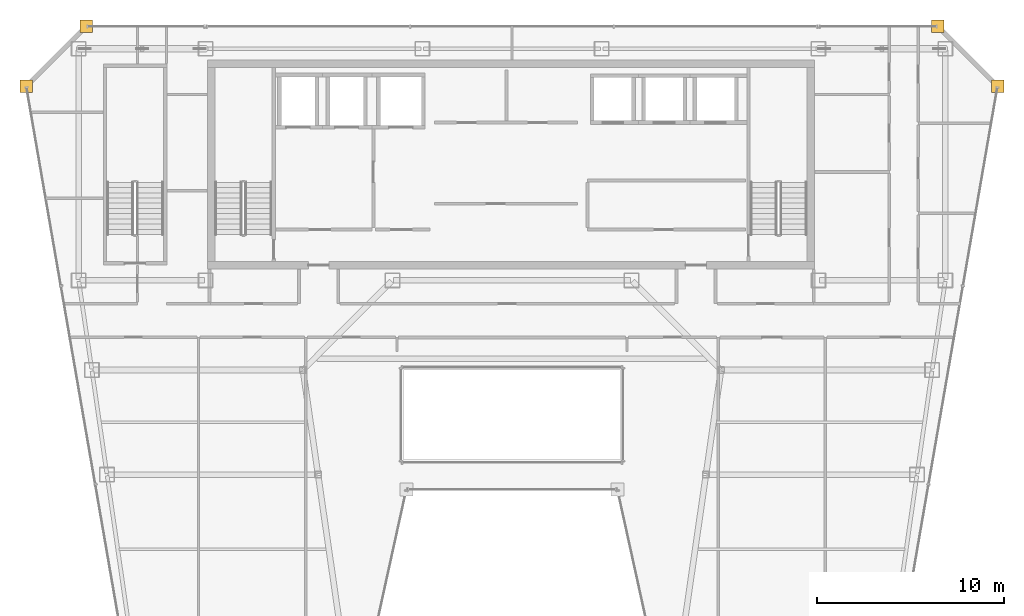
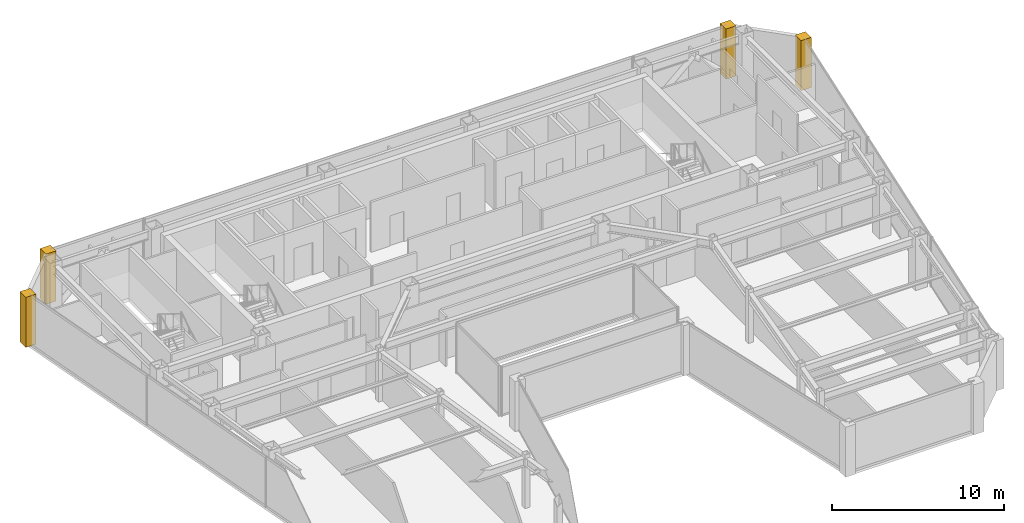
# One storey, part 32 of 32: 4 coverings.
"""IFC4 building model written with IfcOpenShell, lengths in metres."""

import ifcopenshell
import ifcopenshell.guid

model = None  # the IFC model being written
_history = None  # IfcOwnerHistory: only IFC2X3 demands one
_inside = {}  # id of a spatial element -> (the spatial element, [elements in it])
_under = {}  # id of a project, library or spatial element -> (it, [spatial elements below it])
_declared = {}  # id of a project -> (the project, [libraries it declares])
_typed = {}  # id of a type object -> (the type object, [elements of that type])
_made_of = {}  # id of a material, layer set ... -> (it, [elements and type objects made of it])


def new_model(schema):
    """Start an empty IFC model of exactly this schema.

    Asked for "IFC4X3", IfcOpenShell would pick the latest addendum, in which some entities
    have other attributes; the version numbers below select the first issue.
    IFC2X3 requires an IfcOwnerHistory on every rooted entity: one is made here for all.
    """
    global model, _history
    if schema == "IFC4X3":
        model = ifcopenshell.file(schema_version=(4, 3, 0, 0))
    else:
        model = ifcopenshell.file(schema=schema)
    _inside.clear()
    _under.clear()
    _declared.clear()
    _typed.clear()
    _made_of.clear()
    _history = None
    if model.schema == "IFC2X3":
        org = make("IfcOrganization", Name="unknown")
        user = make(
            "IfcPersonAndOrganization",
            ThePerson=make("IfcPerson", FamilyName="unknown"),
            TheOrganization=org,
        )
        app = make(
            "IfcApplication",
            ApplicationDeveloper=org,
            Version="unknown",
            ApplicationFullName="unknown",
            ApplicationIdentifier="unknown",
        )
        _history = make(
            "IfcOwnerHistory",
            OwningUser=user,
            OwningApplication=app,
            ChangeAction="ADDED",
            CreationDate=0,
        )
    return model


def make(cls, **values):
    """One entity of the class cls with the attributes given. An attribute that is None is left unset."""
    return model.create_entity(
        cls, **{name: value for name, value in values.items() if value is not None}
    )


def rooted(cls, **values):
    """An entity with a GlobalId (a new one), such as an element, a storey or a relation."""
    return make(cls, GlobalId=ifcopenshell.guid.new(), OwnerHistory=_history, **values)


def si_unit(unit_type, name, prefix=None):
    """IfcSIUnit, for example si_unit("LENGTHUNIT", "METRE", prefix="MILLI")."""
    return make("IfcSIUnit", UnitType=unit_type, Prefix=prefix, Name=name)


def assignment(units):
    """IfcUnitAssignment: the units of a project."""
    return None if units is None else make("IfcUnitAssignment", Units=units)


def point(xyz):
    """IfcCartesianPoint."""
    return None if xyz is None else make("IfcCartesianPoint", Coordinates=xyz)


def direction(xyz):
    """IfcDirection."""
    return None if xyz is None else make("IfcDirection", DirectionRatios=xyz)


def frame(location, z_axis=None, x_axis=None):
    """IfcAxis2Placement3D, a coordinate frame: its origin and axes. An axis left out is left unset."""
    return make(
        "IfcAxis2Placement3D",
        Location=point(location),
        Axis=direction(z_axis),
        RefDirection=direction(x_axis),
    )


def origin():
    """The frame at (0, 0, 0) with its axes left unset."""
    return frame((0.0, 0.0, 0.0))


def place(relative_to, where):
    """IfcLocalPlacement: puts the frame where relative to a parent placement (None: the world)."""
    return make(
        "IfcLocalPlacement", PlacementRelTo=relative_to, RelativePlacement=where
    )


def context(
    kind, dimensions, precision=None, world=None, true_north=None, identifier=None
):
    """IfcGeometricRepresentationContext, for example the 3D "Model" context."""
    return make(
        "IfcGeometricRepresentationContext",
        ContextIdentifier=identifier,
        ContextType=kind,
        CoordinateSpaceDimension=dimensions,
        Precision=precision,
        WorldCoordinateSystem=world,
        TrueNorth=true_north,
    )


def subcontext(parent, identifier, kind, view, scale=None):
    """IfcGeometricRepresentationSubContext, for example "Body" below "Model"."""
    return make(
        "IfcGeometricRepresentationSubContext",
        ContextIdentifier=identifier,
        ContextType=kind,
        ParentContext=parent,
        TargetScale=scale,
        TargetView=view,
    )


def project(units=None, contexts=None):
    """IfcProject with its units and contexts."""
    return rooted(
        "IfcProject",
        Name="project",
        RepresentationContexts=contexts,
        UnitsInContext=assignment(units),
    )


def spatial(cls, under=None, at=None, **own):
    """A site, building, storey or space (cls), placed at a placement, below another one or the project."""
    s = rooted(cls, ObjectPlacement=at, **own)
    if under is not None:
        _under.setdefault(under.id(), (under, []))[1].append(s)
    return s


def polyline(points):
    """IfcPolyline through the points."""
    return make("IfcPolyline", Points=[point(p) for p in points])


def outline(outer, holes=None, kind="AREA"):
    """IfcArbitraryClosedProfileDef: a profile drawn as a closed curve; with holes, ...WithVoids."""
    if holes is None:
        return make("IfcArbitraryClosedProfileDef", ProfileType=kind, OuterCurve=outer)
    return make(
        "IfcArbitraryProfileDefWithVoids",
        ProfileType=kind,
        OuterCurve=outer,
        InnerCurves=holes,
    )


def extrude(swept, where, along, depth):
    """IfcExtrudedAreaSolid: the profile swept, set in the frame where, extruded along a direction by depth."""
    return make(
        "IfcExtrudedAreaSolid",
        SweptArea=swept,
        Position=where,
        ExtrudedDirection=direction(along),
        Depth=depth,
    )


def shape(context_of_items, identifier, shape_type, items):
    """IfcShapeRepresentation: the items that make up one representation, for example the "Body"."""
    return make(
        "IfcShapeRepresentation",
        ContextOfItems=context_of_items,
        RepresentationIdentifier=identifier,
        RepresentationType=shape_type,
        Items=items,
    )


def material(Name=None, Category=None):
    """IfcMaterial."""
    return make("IfcMaterial", Name=Name, Category=Category)


def layer(
    of_material, thickness, ventilated=None, Name=None, Category=None, Priority=None
):
    """IfcMaterialLayer: one layer of a wall or slab, of a material (None: an air gap)."""
    return make(
        "IfcMaterialLayer",
        Material=of_material,
        LayerThickness=thickness,
        IsVentilated=ventilated,
        Name=Name,
        Category=Category,
        Priority=Priority,
    )


def layer_set(layers, Name=None):
    """IfcMaterialLayerSet."""
    return make("IfcMaterialLayerSet", MaterialLayers=layers, LayerSetName=Name)


def made_of(thing, what):
    """Note that an element or type object is made of a material, layer set ...; save() writes the relation."""
    if what is not None:
        _made_of.setdefault(what.id(), (what, []))[1].append(thing)
    return thing


def type_object(cls, material=None, **own):
    """A type object (cls), such as IfcWallType, which elements share."""
    return made_of(rooted(cls, **own), material)


def element(
    cls,
    number,
    at=None,
    inside=None,
    cuts=None,
    type_object=None,
    material=None,
    context=None,
    identifier="Body",
    shape_type=None,
    held_by="IfcProductDefinitionShape",
    body=None,
    shapes=None,
    **own,
):
    """One element of the class cls, such as IfcWall. Its Tag is "e" and its number.

    at: its placement. inside: the storey or other place that contains it. cuts: it is an
    opening in that element (IfcRelVoidsElement). A single representation is given by context,
    identifier, shape_type and body (its items); several are given by shapes. held_by: the class
    of the entity that holds the representations. save() writes the other relations.
    """
    e = rooted(cls, Tag="e%d" % number, ObjectPlacement=at, **own)
    if body is not None:
        shapes = [shape(context, identifier, shape_type, body)]
    if shapes is not None:
        e.Representation = make(held_by, Representations=shapes)
    if inside is not None:
        _inside.setdefault(inside.id(), (inside, []))[1].append(e)
    if cuts is not None:
        rooted(
            "IfcRelVoidsElement", RelatingBuildingElement=cuts, RelatedOpeningElement=e
        )
    if type_object is not None:
        _typed.setdefault(type_object.id(), (type_object, []))[1].append(e)
    return made_of(e, material)


def aggregate(whole, parts):
    """IfcRelAggregates: a whole, such as a stair, and the parts it consists of."""
    return rooted("IfcRelAggregates", RelatingObject=whole, RelatedObjects=parts)


def save(model, path):
    """Write the relations noted so far, then the file.

    IfcRelAggregates (storeys below a building ...), IfcRelContainedInSpatialStructure (elements
    in a storey), IfcRelDefinesByType, IfcRelAssociatesMaterial and IfcRelDeclares: one each for
    every whole, place, type object, material and project.
    """
    for whole, parts in _under.values():
        aggregate(whole, parts)
    for where, things in _inside.values():
        rooted(
            "IfcRelContainedInSpatialStructure",
            RelatedElements=things,
            RelatingStructure=where,
        )
    for kind, things in _typed.values():
        rooted("IfcRelDefinesByType", RelatedObjects=things, RelatingType=kind)
    for what, things in _made_of.values():
        rooted("IfcRelAssociatesMaterial", RelatedObjects=things, RelatingMaterial=what)
    for by, libraries in _declared.values():
        rooted("IfcRelDeclares", RelatingContext=by, RelatedDefinitions=libraries)
    model.write(path)


model = new_model("IFC4")

# Units and contexts
model_context = context("Model", 3, precision=1e-05, world=origin(), true_north=direction((0.0, 1.0)))
body_context = subcontext(model_context, "Body", "Model", "MODEL_VIEW")
ifc_project = project(units=[si_unit("LENGTHUNIT", "METRE"), si_unit("AREAUNIT", "SQUARE_METRE"), si_unit("VOLUMEUNIT", "CUBIC_METRE"), si_unit("PLANEANGLEUNIT", "RADIAN"), si_unit("MASSUNIT", "GRAM", prefix="KILO")], contexts=[model_context])

# Site, building, storey
site_placement = place(None, origin())
site = spatial("IfcSite", under=ifc_project, at=site_placement, CompositionType="ELEMENT")
building_placement = place(site_placement, origin())
building = spatial("IfcBuilding", under=site, at=building_placement, Name="Saevonmaru Cultural Tower", CompositionType="ELEMENT")
storey_placement = place(building_placement, frame((0.0, 0.0, 245.800048828125)))
storey = spatial("IfcBuildingStorey", under=building, at=storey_placement, Name="L57", CompositionType="ELEMENT", Elevation=245.800048828125)

# Coverings
ifc_material = material(Name="Satin Bronze Anodised Aluminium", Category="aluminium")
ifc_layer = layer(ifc_material, 0.679931640625, Name="Satin Bronze Anodised Aluminium")
ifc_layer_set = layer_set([ifc_layer], Name="Satin Bronze Anodised Aluminium")
covering_type = type_object("IfcCoveringType", Name="CV-CORNER-CLAD", PredefinedType="CLADDING", material=ifc_layer_set)
covering_1_placement = place(storey_placement, origin())
element("IfcCovering", 1, at=covering_1_placement, inside=storey, type_object=covering_type, Name="L57 Tower Bronze Corner Cladding Pier 9", PredefinedType="CLADDING", context=body_context, shape_type="SweptSolid", body=[
    extrude(outline(polyline([(55.659912109375, 52.4599609375), (56.340087890625, 52.4599609375), (56.340087890625, 53.139892578125), (55.659912109375, 53.139892578125), (55.659912109375, 52.4599609375)])), origin(), (0.0, 0.0, 1.0), 3.550048828125),
])
covering_2_placement = place(storey_placement, origin())
element("IfcCovering", 2, at=covering_2_placement, inside=storey, type_object=covering_type, Name="L57 Tower Bronze Corner Cladding Pier 10", PredefinedType="CLADDING", context=body_context, shape_type="SweptSolid", body=[
    extrude(outline(polyline([(52.4599609375, 55.659912109375), (53.139892578125, 55.659912109375), (53.139892578125, 56.340087890625), (52.4599609375, 56.340087890625), (52.4599609375, 55.659912109375)])), origin(), (0.0, 0.0, 1.0), 3.550048828125),
])
covering_3_placement = place(storey_placement, origin())
element("IfcCovering", 3, at=covering_3_placement, inside=storey, type_object=covering_type, Name="L57 Tower Bronze Corner Cladding Pier 11", PredefinedType="CLADDING", context=body_context, shape_type="SweptSolid", body=[
    extrude(outline(polyline([(6.860107421875, 55.659912109375), (7.5400390625, 55.659912109375), (7.5400390625, 56.340087890625), (6.860107421875, 56.340087890625), (6.860107421875, 55.659912109375)])), origin(), (0.0, 0.0, 1.0), 3.550048828125),
])
covering_4_placement = place(storey_placement, origin())
element("IfcCovering", 4, at=covering_4_placement, inside=storey, type_object=covering_type, Name="L57 Tower Bronze Corner Cladding Pier 12", PredefinedType="CLADDING", context=body_context, shape_type="SweptSolid", body=[
    extrude(outline(polyline([(3.659912109375, 52.4599609375), (4.340087890625, 52.4599609375), (4.340087890625, 53.139892578125), (3.659912109375, 53.139892578125), (3.659912109375, 52.4599609375)])), origin(), (0.0, 0.0, 1.0), 3.550048828125),
])

save(model, "model.ifc")
